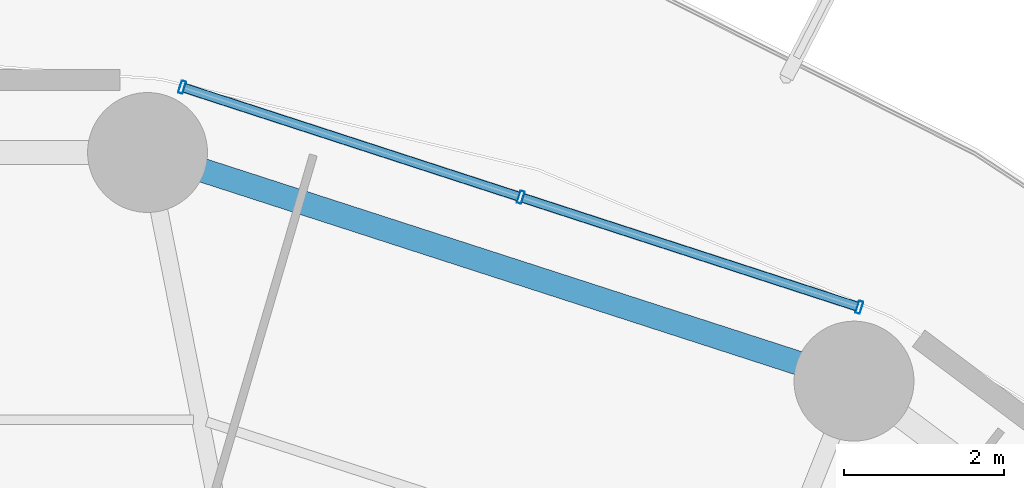
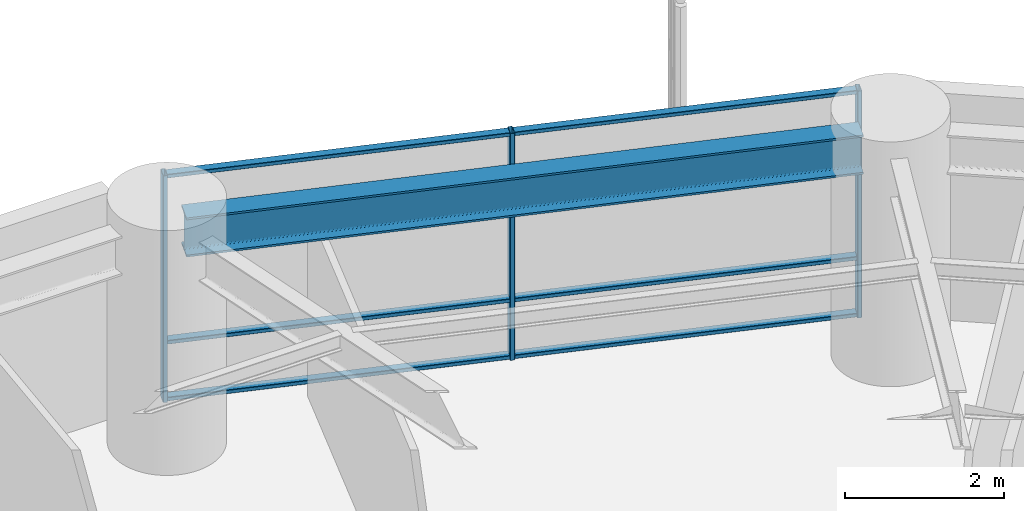
# One storey, part 21 of 33: 9 members, 1 beam, 1 element without a shape of its own.
"""IFC4 building model written with IfcOpenShell, lengths in metres."""

from ifc_helpers import new_model, si_unit, direction, frame, origin, origin_2d, place, context, subcontext, project, spatial, hollow_rectangle, i_section, extrude, material, layer, layer_set, material_profile, profile_set, type_object, element, aggregate, save


model = new_model("IFC4")

# Units and contexts
model_context = context("Model", 3, precision=1e-05, world=origin(), true_north=direction((0.0, 1.0)))
body_context = subcontext(model_context, "Body", "Model", "MODEL_VIEW")
ifc_project = project(units=[si_unit("LENGTHUNIT", "METRE"), si_unit("AREAUNIT", "SQUARE_METRE"), si_unit("VOLUMEUNIT", "CUBIC_METRE"), si_unit("PLANEANGLEUNIT", "RADIAN"), si_unit("MASSUNIT", "GRAM", prefix="KILO")], contexts=[model_context])

# Site, building, storey
site_placement = place(None, origin())
site = spatial("IfcSite", under=ifc_project, at=site_placement, CompositionType="ELEMENT")
building_placement = place(site_placement, origin())
building = spatial("IfcBuilding", under=site, at=building_placement, Name="Kelanora Arch Commons", CompositionType="ELEMENT")
storey_placement = place(building_placement, frame((0.0, 0.0, 37.5)))
storey = spatial("IfcBuildingStorey", under=building, at=storey_placement, Name="L09", CompositionType="ELEMENT", Elevation=37.5)

# Beam
ifc_material_1 = material(Name="Steel S355", Category="steel")
ifc_material_profile_1 = material_profile(ifc_material_1, i_section(OverallWidth=0.300048828125, OverallDepth=0.60009765625, WebThickness=0.015380859375, FlangeThickness=0.030029296875, FilletRadius=0.027099609375, at=origin_2d()), Name="HEB600")
ifc_profile_set_1 = profile_set([ifc_material_profile_1], Name="Steel S355")
beam_type = type_object("IfcBeamType", Name="BM-SPN-Z1", PredefinedType="SPANDREL", material=ifc_profile_set_1)
beam_placement = place(storey_placement, frame((87.178466796875, 78.970947265625, 3.18994140625), z_axis=(-0.951411839042, 0.307921276515, 0.0), x_axis=(-0.307921276515, -0.951411839042, 0.0)))
element("IfcBeam", 1, at=beam_placement, inside=storey, type_object=beam_type, Name="Perimeter Spandrel Beam BS-06 L09", PredefinedType="SPANDREL", context=body_context, shape_type="SweptSolid", body=[
    extrude(i_section(OverallWidth=0.300048828125, OverallDepth=0.60009765625, WebThickness=0.015380859375, FlangeThickness=0.030029296875, FilletRadius=0.027099609375, at=origin_2d()), origin(), (0.0, 0.0, 1.0), 8.68896484375),
])

# Curtain wall, members
ifc_material_2 = material(Name="Terracotta ceramic-fritted low-E glass and aluminium", Category="masonry")
ifc_layer = layer(ifc_material_2, 0.159912109375)
ifc_layer_set = layer_set([ifc_layer], Name="Terracotta ceramic-fritted low-E glass and aluminium")
curtain_wall_type = type_object("IfcCurtainWallType", Name="CW-SYS-01", PredefinedType="NOTDEFINED", material=ifc_layer_set)
curtain_wall_placement = place(storey_placement, origin())
curtain_wall = element("IfcCurtainWall", 2, at=curtain_wall_placement, inside=storey, type_object=curtain_wall_type, Name="Unitised Curtain Wall L09-B03", PredefinedType="NOTDEFINED")
ifc_material_3 = material(Name="Powder-coated aluminium terracotta", Category="masonry")
ifc_material_profile_2 = material_profile(ifc_material_3, hollow_rectangle(XDim=0.159912109375, YDim=0.06005859375, WallThickness=0.0048828125, InnerFilletRadius=0.0048828125, OuterFilletRadius=0.010009765625, at=origin_2d()), Name="CWM160x60")
ifc_profile_set_2 = profile_set([ifc_material_profile_2], Name="Powder-coated aluminium terracotta")
member_type_1 = type_object("IfcMemberType", Name="CWM-STD", PredefinedType="MULLION", material=ifc_profile_set_2)
member_1_placement = place(storey_placement, frame((87.607666015625, 79.778076171875, 0.0), z_axis=(0.0, 0.0, 1.0), x_axis=(-0.30905758454, -0.951043326793, 0.0)))
member_1 = element("IfcMember", 3, at=member_1_placement, type_object=member_type_1, Name="CW-01 mullion 1", PredefinedType="MULLION", context=body_context, shape_type="SweptSolid", body=[
    extrude(hollow_rectangle(XDim=0.159912109375, YDim=0.06005859375, WallThickness=0.0048828125, InnerFilletRadius=0.0048828125, OuterFilletRadius=0.010009765625, at=origin_2d()), origin(), (0.0, 0.0, 1.0), 3.47509765625),
])
member_2_placement = place(storey_placement, frame((83.37109375, 81.15478515625, 0.0), z_axis=(0.0, 0.0, 1.0), x_axis=(-0.30905758454, -0.951043326793, 0.0)))
member_2 = element("IfcMember", 4, at=member_2_placement, type_object=member_type_1, Name="CW-01 mullion 2", PredefinedType="MULLION", context=body_context, shape_type="SweptSolid", body=[
    extrude(hollow_rectangle(XDim=0.159912109375, YDim=0.06005859375, WallThickness=0.0048828125, InnerFilletRadius=0.0048828125, OuterFilletRadius=0.010009765625, at=origin_2d()), origin(), (0.0, 0.0, 1.0), 3.47509765625),
])
member_3_placement = place(storey_placement, frame((79.134521484375, 82.53173828125, 0.0), z_axis=(0.0, 0.0, 1.0), x_axis=(-0.30905758454, -0.951043326793, 0.0)))
member_3 = element("IfcMember", 5, at=member_3_placement, type_object=member_type_1, Name="CW-01 mullion 3", PredefinedType="MULLION", context=body_context, shape_type="SweptSolid", body=[
    extrude(hollow_rectangle(XDim=0.159912109375, YDim=0.06005859375, WallThickness=0.0048828125, InnerFilletRadius=0.0048828125, OuterFilletRadius=0.010009765625, at=origin_2d()), origin(), (0.0, 0.0, 1.0), 3.47509765625),
])
ifc_material_profile_3 = material_profile(ifc_material_3, hollow_rectangle(XDim=0.1201171875, YDim=0.06005859375, WallThickness=0.0048828125, InnerFilletRadius=0.0048828125, OuterFilletRadius=0.010009765625, at=origin_2d()), Name="CWT120x60")
ifc_profile_set_3 = profile_set([ifc_material_profile_3], Name="Powder-coated aluminium terracotta")
member_type_2 = type_object("IfcMemberType", Name="CWT-STD", PredefinedType="USERDEFINED", material=ifc_profile_set_3)
member_4_placement = place(storey_placement, frame((87.5791015625, 79.787353515625, 0.030029296875), z_axis=(-0.951045091182, 0.309052155047, 0.0), x_axis=(-0.309052155047, -0.951045091182, 0.0)))
member_4 = element("IfcMember", 6, at=member_4_placement, type_object=member_type_2, Name="CW-01 transom 1.1", ObjectType="TRANSOM", PredefinedType="USERDEFINED", context=body_context, shape_type="SweptSolid", body=[
    extrude(hollow_rectangle(XDim=0.1201171875, YDim=0.06005859375, WallThickness=0.0048828125, InnerFilletRadius=0.0048828125, OuterFilletRadius=0.010009765625, at=origin_2d()), origin(), (0.0, 0.0, 1.0), 4.39453125),
])
member_5_placement = place(storey_placement, frame((87.5791015625, 79.787353515625, 0.89990234375), z_axis=(-0.951045091182, 0.309052155047, 0.0), x_axis=(-0.309052155047, -0.951045091182, 0.0)))
member_5 = element("IfcMember", 7, at=member_5_placement, type_object=member_type_2, Name="CW-01 transom 1.2", ObjectType="TRANSOM", PredefinedType="USERDEFINED", context=body_context, shape_type="SweptSolid", body=[
    extrude(hollow_rectangle(XDim=0.1201171875, YDim=0.06005859375, WallThickness=0.0048828125, InnerFilletRadius=0.0048828125, OuterFilletRadius=0.010009765625, at=origin_2d()), origin(), (0.0, 0.0, 1.0), 4.39453125),
])
member_6_placement = place(storey_placement, frame((87.5791015625, 79.787353515625, 3.445068359375), z_axis=(-0.951045091182, 0.309052155047, 0.0), x_axis=(-0.309052155047, -0.951045091182, 0.0)))
member_6 = element("IfcMember", 8, at=member_6_placement, type_object=member_type_2, Name="CW-01 transom 1.3", ObjectType="TRANSOM", PredefinedType="USERDEFINED", context=body_context, shape_type="SweptSolid", body=[
    extrude(hollow_rectangle(XDim=0.1201171875, YDim=0.06005859375, WallThickness=0.0048828125, InnerFilletRadius=0.0048828125, OuterFilletRadius=0.010009765625, at=origin_2d()), origin(), (0.0, 0.0, 1.0), 4.39453125),
])
member_7_placement = place(storey_placement, frame((83.342529296875, 81.1640625, 0.030029296875), z_axis=(-0.951028761285, 0.309102402464, 0.0), x_axis=(-0.309102402464, -0.951028761285, 0.0)))
member_7 = element("IfcMember", 9, at=member_7_placement, type_object=member_type_2, Name="CW-01 transom 2.1", ObjectType="TRANSOM", PredefinedType="USERDEFINED", context=body_context, shape_type="SweptSolid", body=[
    extrude(hollow_rectangle(XDim=0.1201171875, YDim=0.06005859375, WallThickness=0.0048828125, InnerFilletRadius=0.0048828125, OuterFilletRadius=0.010009765625, at=origin_2d()), origin(), (0.0, 0.0, 1.0), 4.394775390625),
])
member_8_placement = place(storey_placement, frame((83.342529296875, 81.1640625, 0.89990234375), z_axis=(-0.951028761285, 0.309102402464, 0.0), x_axis=(-0.309102402464, -0.951028761285, 0.0)))
member_8 = element("IfcMember", 10, at=member_8_placement, type_object=member_type_2, Name="CW-01 transom 2.2", ObjectType="TRANSOM", PredefinedType="USERDEFINED", context=body_context, shape_type="SweptSolid", body=[
    extrude(hollow_rectangle(XDim=0.1201171875, YDim=0.06005859375, WallThickness=0.0048828125, InnerFilletRadius=0.0048828125, OuterFilletRadius=0.010009765625, at=origin_2d()), origin(), (0.0, 0.0, 1.0), 4.394775390625),
])
member_9_placement = place(storey_placement, frame((83.342529296875, 81.1640625, 3.445068359375), z_axis=(-0.951028761285, 0.309102402464, 0.0), x_axis=(-0.309102402464, -0.951028761285, 0.0)))
member_9 = element("IfcMember", 11, at=member_9_placement, type_object=member_type_2, Name="CW-01 transom 2.3", ObjectType="TRANSOM", PredefinedType="USERDEFINED", context=body_context, shape_type="SweptSolid", body=[
    extrude(hollow_rectangle(XDim=0.1201171875, YDim=0.06005859375, WallThickness=0.0048828125, InnerFilletRadius=0.0048828125, OuterFilletRadius=0.010009765625, at=origin_2d()), origin(), (0.0, 0.0, 1.0), 4.394775390625),
])
aggregate(curtain_wall, [member_1, member_2, member_3, member_4, member_5, member_6, member_7, member_8, member_9])

save(model, "model.ifc")
